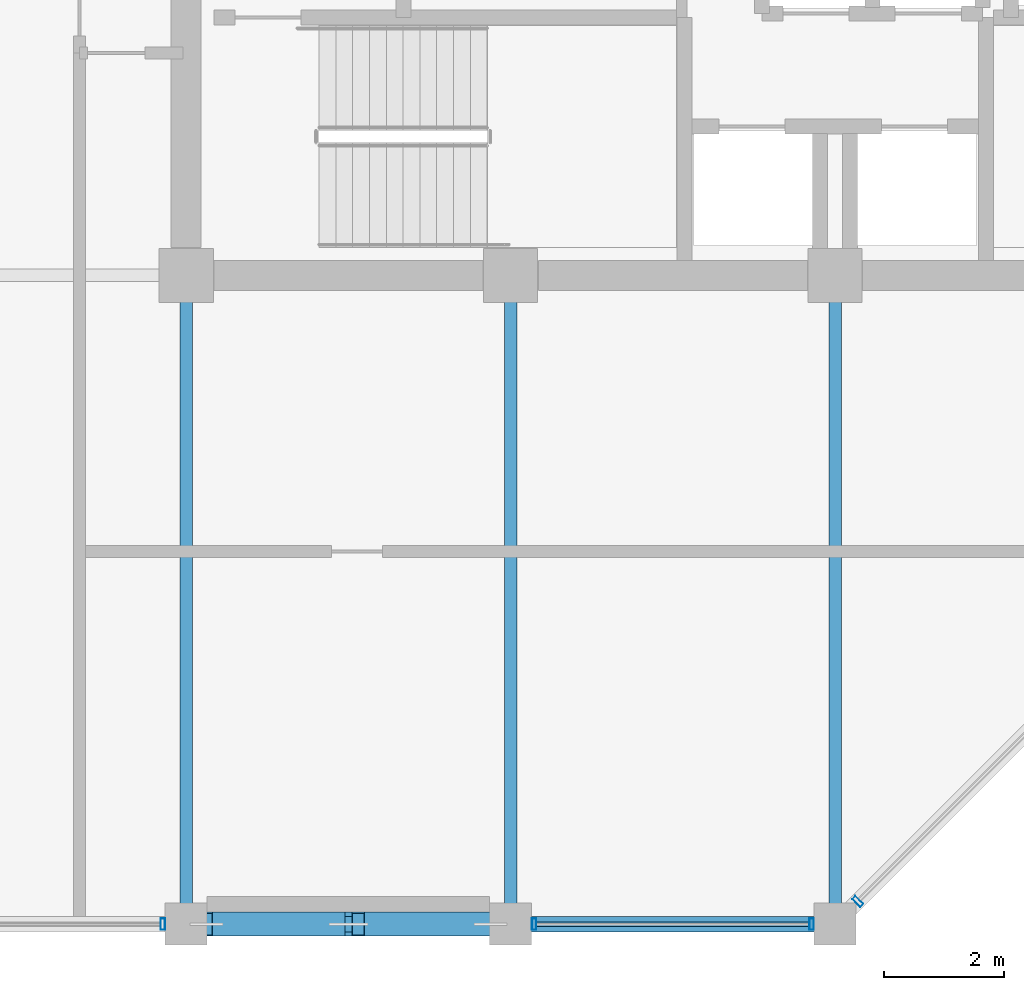
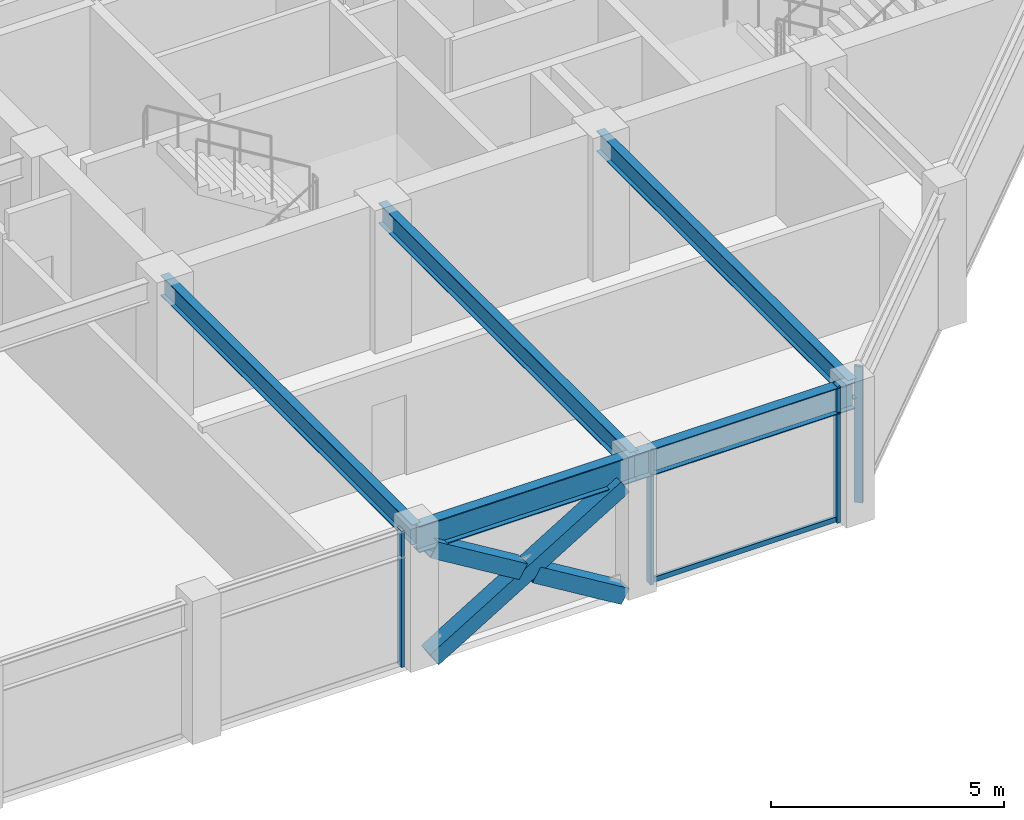
# One storey, part 5 of 31: 8 members, 5 beams, 3 elements without a shape of their own.
"""IFC4 building model written with IfcOpenShell, lengths in metres."""

from ifc_helpers import new_model, si_unit, direction, frame, origin, origin_2d, place, context, subcontext, project, spatial, hollow_rectangle, i_section, extrude, material, layer, layer_set, material_profile, profile_set, type_object, element, aggregate, save


model = new_model("IFC4")

# Units and contexts
model_context = context("Model", 3, precision=1e-05, world=origin(), true_north=direction((0.0, 1.0)))
body_context = subcontext(model_context, "Body", "Model", "MODEL_VIEW")
ifc_project = project(units=[si_unit("LENGTHUNIT", "METRE"), si_unit("AREAUNIT", "SQUARE_METRE"), si_unit("VOLUMEUNIT", "CUBIC_METRE"), si_unit("PLANEANGLEUNIT", "RADIAN"), si_unit("MASSUNIT", "GRAM", prefix="KILO")], contexts=[model_context])

# Site, building, storey
site_placement = place(None, origin())
site = spatial("IfcSite", under=ifc_project, at=site_placement, CompositionType="ELEMENT")
building_placement = place(site_placement, origin())
building = spatial("IfcBuilding", under=site, at=building_placement, Name="Surkhivell Harbour Commons", CompositionType="ELEMENT")
storey_placement = place(building_placement, frame((0.0, 0.0, 270.0)))
storey = spatial("IfcBuildingStorey", under=building, at=storey_placement, Name="L70", CompositionType="ELEMENT", Elevation=270.0)

# Beams
ifc_material_1 = material(Name="Steel S355", Category="steel")
ifc_material_profile_1 = material_profile(ifc_material_1, i_section(OverallWidth=0.2099609375, OverallDepth=0.537109375, WebThickness=0.0107421875, FlangeThickness=0.017333984375, at=origin_2d()), Name="UB533x210x101")
ifc_profile_set_1 = profile_set([ifc_material_profile_1], Name="Steel S355")
beam_type_1 = type_object("IfcBeamType", Name="BM-GRD-533B", PredefinedType="BEAM", material=ifc_profile_set_1)
for number, where, z_axis, x_axis, name in (
    (1, (-10.800048828125, -21.60009765625, 3.301513671875), (0.0, 1.0, 0.0), (-1.0, 0.0, 0.0), "L70 Floor Girder (-10.8,-21.6)"),
    (2, (-5.39990234375, -21.60009765625, 3.301513671875), (0.0, 1.0, 0.0), (-1.0, 0.0, 0.0), "L70 Floor Girder (-5.4,-21.6)"),
    (3, (0.0, -21.60009765625, 3.301513671875), (0.0, 1.0, 0.0), (-1.0, 0.0, 0.0), "L70 Floor Girder (0.0,-21.6)"),
):
    element("IfcBeam", number, at=place(storey_placement, frame(where, z_axis=z_axis, x_axis=x_axis)), inside=storey, type_object=beam_type_1, Name=name, PredefinedType="BEAM", context=body_context, shape_type="SweptSolid", body=[
        extrude(i_section(OverallWidth=0.2099609375, OverallDepth=0.537109375, WebThickness=0.0107421875, FlangeThickness=0.017333984375, at=origin_2d()), origin(), (0.0, 0.0, 1.0), 10.800048828125),
    ])
ifc_material_profile_2 = material_profile(ifc_material_1, i_section(OverallWidth=0.256103515625, OverallDepth=0.693115234375, WebThickness=0.014404296875, FlangeThickness=0.023681640625, at=origin_2d()), Name="UB686x254x170")
ifc_profile_set_2 = profile_set([ifc_material_profile_2], Name="Steel S355")
beam_type_2 = type_object("IfcBeamType", Name="BM-SPN-686", PredefinedType="SPANDREL", material=ifc_profile_set_2)
beam_1_placement = place(storey_placement, frame((-10.800048828125, -21.60009765625, 3.223388671875), z_axis=(1.0, 0.0, 0.0), x_axis=(0.0, 1.0, 0.0)))
element("IfcBeam", 4, at=beam_1_placement, inside=storey, type_object=beam_type_2, Name="L70 Tube Spandrel (-10.8,-21.6)", PredefinedType="SPANDREL", context=body_context, shape_type="SweptSolid", body=[
    extrude(i_section(OverallWidth=0.256103515625, OverallDepth=0.693115234375, WebThickness=0.014404296875, FlangeThickness=0.023681640625, at=origin_2d()), origin(), (0.0, 0.0, 1.0), 5.400146484375),
])
beam_2_placement = place(storey_placement, frame((-5.39990234375, -21.60009765625, 3.223388671875), z_axis=(1.0, 0.0, 0.0), x_axis=(0.0, 1.0, 0.0)))
element("IfcBeam", 5, at=beam_2_placement, inside=storey, type_object=beam_type_2, Name="L70 Tube Spandrel (-5.4,-21.6)", PredefinedType="SPANDREL", context=body_context, shape_type="SweptSolid", body=[
    extrude(i_section(OverallWidth=0.256103515625, OverallDepth=0.693115234375, WebThickness=0.014404296875, FlangeThickness=0.023681640625, at=origin_2d()), origin(), (0.0, 0.0, 1.0), 5.39990234375),
])

# Curtain wall, member
ifc_material_2 = material(Name="Anodised pale-metal aluminium and insulated glazing", Category="aluminium")
ifc_layer = layer(ifc_material_2, 0.175048828125)
ifc_layer_set = layer_set([ifc_layer], Name="Anodised pale-metal aluminium and insulated glazing")
curtain_wall_type = type_object("IfcCurtainWallType", Name="CW-SYS-Z4", PredefinedType="NOTDEFINED", material=ifc_layer_set)
curtain_wall_1_placement = place(storey_placement, origin())
curtain_wall_1 = element("IfcCurtainWall", 6, at=curtain_wall_1_placement, inside=storey, type_object=curtain_wall_type, Name="L70 Curtain Wall CW-L70-E00S1", PredefinedType="NOTDEFINED")
ifc_material_3 = material(Name="Anodised pale-metal aluminium alloy 6063-T6", Category="aluminium")
ifc_material_profile_3 = material_profile(ifc_material_3, hollow_rectangle(XDim=0.074951171875, YDim=0.18994140625, WallThickness=0.00390625, at=origin_2d()), Name="ALU-MULL-75x190")
ifc_profile_set_3 = profile_set([ifc_material_profile_3], Name="Anodised pale-metal aluminium alloy 6063-T6")
member_type_1 = type_object("IfcMemberType", Name="CWM-190", PredefinedType="MULLION", material=ifc_profile_set_3)
member_1_placement = place(storey_placement, frame((-11.189453125, -21.60009765625, 0.0), z_axis=(0.0, 0.0, 1.0), x_axis=(1.0, 0.0, 0.0)))
member_1 = element("IfcMember", 7, at=member_1_placement, type_object=member_type_1, Name="CW-Z4 mullion 3", PredefinedType="MULLION", context=body_context, shape_type="SweptSolid", body=[
    extrude(hollow_rectangle(XDim=0.074951171875, YDim=0.18994140625, WallThickness=0.00390625, at=origin_2d()), origin(), (0.0, 0.0, 1.0), 3.570068359375),
])
aggregate(curtain_wall_1, [member_1])

# Curtain wall, members
curtain_wall_2_placement = place(storey_placement, origin())
curtain_wall_2 = element("IfcCurtainWall", 8, at=curtain_wall_2_placement, inside=storey, type_object=curtain_wall_type, Name="L70 Curtain Wall CW-L70-E00S2", PredefinedType="NOTDEFINED")
member_2_placement = place(storey_placement, frame((-5.010498046875, -21.60009765625, 0.0), z_axis=(0.0, 0.0, 1.0), x_axis=(1.0, 0.0, 0.0)))
member_2 = element("IfcMember", 9, at=member_2_placement, type_object=member_type_1, Name="CW-Z4 mullion 1", PredefinedType="MULLION", context=body_context, shape_type="SweptSolid", body=[
    extrude(hollow_rectangle(XDim=0.074951171875, YDim=0.18994140625, WallThickness=0.00390625, at=origin_2d()), origin(), (0.0, 0.0, 1.0), 3.570068359375),
])
member_3_placement = place(storey_placement, frame((-0.389404296875, -21.60009765625, 0.0), z_axis=(0.0, 0.0, 1.0), x_axis=(1.0, 0.0, 0.0)))
member_3 = element("IfcMember", 10, at=member_3_placement, type_object=member_type_1, Name="CW-Z4 mullion 2", PredefinedType="MULLION", context=body_context, shape_type="SweptSolid", body=[
    extrude(hollow_rectangle(XDim=0.074951171875, YDim=0.18994140625, WallThickness=0.00390625, at=origin_2d()), origin(), (0.0, 0.0, 1.0), 3.570068359375),
])

# Curtain wall, member
curtain_wall_3_placement = place(storey_placement, origin())
curtain_wall_3 = element("IfcCurtainWall", 11, at=curtain_wall_3_placement, inside=storey, type_object=curtain_wall_type, Name="L70 Curtain Wall CW-L70-E01", PredefinedType="NOTDEFINED")
member_4_placement = place(storey_placement, frame((0.378173828125, -21.221923828125, 0.0), z_axis=(0.0, 0.0, 1.0), x_axis=(0.707106781187, 0.707106781187, 0.0)))
member_4 = element("IfcMember", 12, at=member_4_placement, type_object=member_type_1, Name="CW-Z4 mullion 1", PredefinedType="MULLION", context=body_context, shape_type="SweptSolid", body=[
    extrude(hollow_rectangle(XDim=0.074951171875, YDim=0.18994140625, WallThickness=0.00390625, at=origin_2d()), origin(), (0.0, 0.0, 1.0), 3.570068359375),
])
aggregate(curtain_wall_3, [member_4])

# Member
ifc_material_4 = material(Name="Champagne anodised aluminium alloy 6063-T6", Category="aluminium")
ifc_material_profile_4 = material_profile(ifc_material_4, hollow_rectangle(XDim=0.070068359375, YDim=0.1298828125, WallThickness=0.00341796875, at=origin_2d()), Name="ALU-TRAN-70x130")
ifc_profile_set_4 = profile_set([ifc_material_profile_4], Name="Champagne anodised aluminium alloy 6063-T6")
member_type_2 = type_object("IfcMemberType", Name="CWT-130", PredefinedType="USERDEFINED", material=ifc_profile_set_4)
member_5_placement = place(storey_placement, frame((-4.972900390625, -21.60009765625, 0.06494140625), z_axis=(1.0, 0.0, 0.0), x_axis=(0.0, 1.0, 0.0)))
member_5 = element("IfcMember", 13, at=member_5_placement, type_object=member_type_2, Name="CW-Z4 transom 1.1", ObjectType="TRANSOM", PredefinedType="USERDEFINED", context=body_context, shape_type="SweptSolid", body=[
    extrude(hollow_rectangle(XDim=0.070068359375, YDim=0.1298828125, WallThickness=0.00341796875, at=origin_2d()), origin(), (0.0, 0.0, 1.0), 4.5458984375),
])

aggregate(curtain_wall_2, [member_2, member_3, member_5])

# Members
ifc_material_5 = material(Name="Steel S460", Category="steel")
ifc_material_profile_5 = material_profile(ifc_material_5, hollow_rectangle(XDim=0.39990234375, YDim=0.39990234375, WallThickness=0.02001953125, at=origin_2d()), Name="SHS400x400x20")
ifc_profile_set_5 = profile_set([ifc_material_profile_5], Name="Steel S460")
member_type_3 = type_object("IfcMemberType", Name="MEM-BRC-SHS400", PredefinedType="BRACE", material=ifc_profile_set_5)
member_6_placement = place(storey_placement, frame((-10.465087890625, -21.60009765625, 0.008056640625), z_axis=(0.854685454322, 0.0, 0.519146197299), x_axis=(0.0, 1.0, 0.0)))
element("IfcMember", 14, at=member_6_placement, inside=storey, type_object=member_type_3, Name="L70 Perimeter Mega-Brace MB- 07", PredefinedType="BRACE", context=body_context, shape_type="SweptSolid", body=[
    extrude(hollow_rectangle(XDim=0.39990234375, YDim=0.39990234375, WallThickness=0.02001953125, at=origin_2d()), origin(), (0.0, 0.0, 1.0), 5.5341796875),
])
member_7_placement = place(storey_placement, frame((-5.735107421875, -21.60009765625, 0.008056640625), z_axis=(-0.854694361898, 0.0, 0.519131532215), x_axis=(0.0, -1.0, 0.0)))
element("IfcMember", 15, at=member_7_placement, inside=storey, type_object=member_type_3, Name="L70 Perimeter Mega-Brace MB- 08", PredefinedType="BRACE", context=body_context, shape_type="SweptSolid", body=[
    extrude(hollow_rectangle(XDim=0.39990234375, YDim=0.39990234375, WallThickness=0.02001953125, at=origin_2d()), origin(), (0.0, 0.0, 1.0), 2.57470703125),
])
member_8_placement = place(storey_placement, frame((-8.26416015625, -21.60009765625, 1.544189453125), z_axis=(-0.854677846108, 0.0, 0.519158722716), x_axis=(0.0, -1.0, 0.0)))
element("IfcMember", 16, at=member_8_placement, inside=storey, type_object=member_type_3, Name="L70 Perimeter Mega-Brace MB- 09", PredefinedType="BRACE", context=body_context, shape_type="SweptSolid", body=[
    extrude(hollow_rectangle(XDim=0.39990234375, YDim=0.39990234375, WallThickness=0.02001953125, at=origin_2d()), origin(), (0.0, 0.0, 1.0), 2.5751953125),
])

save(model, "model.ifc")
